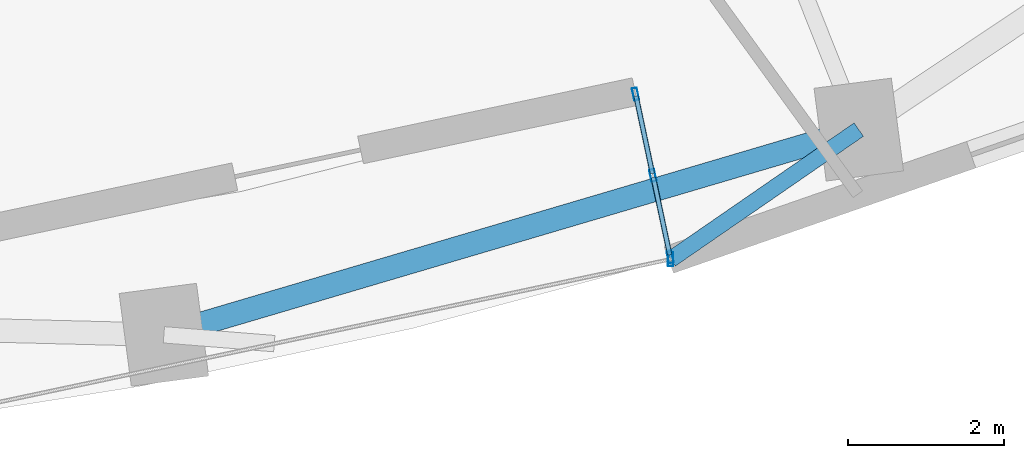
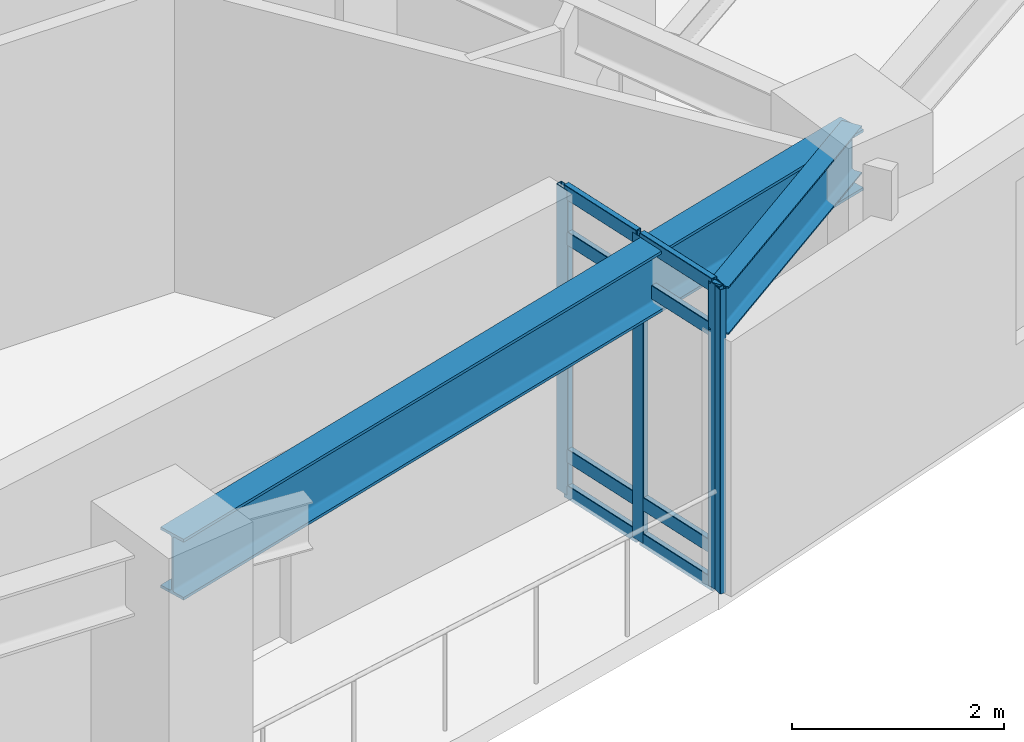
# One storey, part 3 of 12: 12 members, 2 beams, 1 element without a shape of its own.
"""IFC4 building model written with IfcOpenShell, lengths in metres."""

from ifc_helpers import new_model, si_unit, direction, frame, origin, origin_2d, place, context, subcontext, project, spatial, hollow_rectangle, i_section, extrude, material, layer, layer_set, material_profile, profile_set, type_object, element, aggregate, save


model = new_model("IFC4")

# Units and contexts
model_context = context("Model", 3, precision=1e-05, world=origin(), true_north=direction((0.0, 1.0)))
body_context = subcontext(model_context, "Body", "Model", "MODEL_VIEW")
ifc_project = project(units=[si_unit("LENGTHUNIT", "METRE"), si_unit("AREAUNIT", "SQUARE_METRE"), si_unit("VOLUMEUNIT", "CUBIC_METRE"), si_unit("PLANEANGLEUNIT", "RADIAN"), si_unit("MASSUNIT", "GRAM", prefix="KILO")], contexts=[model_context])

# Site, building, storey
site_placement = place(None, origin())
site = spatial("IfcSite", under=ifc_project, at=site_placement, CompositionType="ELEMENT")
building_placement = place(site_placement, origin())
building = spatial("IfcBuilding", under=site, at=building_placement, Name="Ndelora Gate Hotel", CompositionType="ELEMENT")
storey_placement = place(building_placement, frame((0.0, 0.0, 75.5)))
storey = spatial("IfcBuildingStorey", under=building, at=storey_placement, Name="L18", CompositionType="ELEMENT", Elevation=75.5)

# Beams
ifc_material_1 = material(Name="Steel S355", Category="steel")
ifc_material_profile_1 = material_profile(ifc_material_1, i_section(OverallWidth=0.2099609375, OverallDepth=0.550048828125, WebThickness=0.010986328125, FlangeThickness=0.01708984375, FilletRadius=0.02392578125, at=origin_2d()), Name="IPE 550")
ifc_profile_set_1 = profile_set([ifc_material_profile_1], Name="Steel S355")
beam_type_1 = type_object("IfcBeamType", Name="BM-RAD-550", PredefinedType="BEAM", material=ifc_profile_set_1)
beam_1_placement = place(storey_placement, frame((11.179443359375, -14.5693359375, 3.22509765625), z_axis=(-0.823102697332, -0.567892551144, 0.0), x_axis=(0.567892551144, -0.823102697332, 0.0)))
element("IfcBeam", 1, at=beam_1_placement, inside=storey, type_object=beam_type_1, Name="L18 Sky-Garden Loggia Column Bracket 3", PredefinedType="BEAM", context=body_context, shape_type="SweptSolid", body=[
    extrude(i_section(OverallWidth=0.2099609375, OverallDepth=0.550048828125, WebThickness=0.010986328125, FlangeThickness=0.01708984375, FilletRadius=0.02392578125, at=origin_2d()), origin(), (0.0, 0.0, 1.0), 2.93115234375),
])
ifc_material_profile_2 = material_profile(ifc_material_1, i_section(OverallWidth=0.300048828125, OverallDepth=0.699951171875, WebThickness=0.01708984375, FlangeThickness=0.031982421875, FilletRadius=0.027099609375, at=origin_2d()), Name="HEB 700")
ifc_profile_set_2 = profile_set([ifc_material_profile_2], Name="Steel S355")
beam_type_2 = type_object("IfcBeamType", Name="BM-RING-700", PredefinedType="SPANDREL", material=ifc_profile_set_2)
beam_2_placement = place(storey_placement, frame((2.2646484375, -17.20166015625, 3.14990234375), z_axis=(0.959064248316, 0.283188572514, 0.0), x_axis=(-0.283188572514, 0.959064248316, 0.0)))
element("IfcBeam", 2, at=beam_2_placement, inside=storey, type_object=beam_type_2, Name="L18 Perimeter Spandrel Girder 7", PredefinedType="SPANDREL", context=body_context, shape_type="SweptSolid", body=[
    extrude(i_section(OverallWidth=0.300048828125, OverallDepth=0.699951171875, WebThickness=0.01708984375, FlangeThickness=0.031982421875, FilletRadius=0.027099609375, at=origin_2d()), origin(), (0.0, 0.0, 1.0), 9.29541015625),
])

# Curtain wall, members
ifc_material_2 = material(Name="Bronze Anodised Unitised Aluminium and Low-E Glass", Category="aluminium")
ifc_layer = layer(ifc_material_2, 0.199951171875)
ifc_layer_set = layer_set([ifc_layer], Name="Bronze Anodised Unitised Aluminium and Low-E Glass")
curtain_wall_type = type_object("IfcCurtainWallType", Name="CW-SYS-3", PredefinedType="NOTDEFINED", material=ifc_layer_set)
curtain_wall_placement = place(storey_placement, origin())
curtain_wall = element("IfcCurtainWall", 3, at=curtain_wall_placement, inside=storey, type_object=curtain_wall_type, Name="L18 Sky-Garden Loggia Side Curtain Wall CW3-2", PredefinedType="NOTDEFINED")
ifc_material_3 = material(Name="Bronze Anodised Aluminium 6063-T6", Category="aluminium")
ifc_material_profile_3 = material_profile(ifc_material_3, hollow_rectangle(XDim=0.06494140625, YDim=0.159912109375, WallThickness=0.00390625, InnerFilletRadius=0.00390625, OuterFilletRadius=0.008056640625, at=origin_2d()), Name="ALU 160x65x4")
ifc_profile_set_3 = profile_set([ifc_material_profile_3], Name="Bronze Anodised Aluminium 6063-T6")
member_type_1 = type_object("IfcMemberType", Name="MB-CW-MUL150", PredefinedType="MULLION", material=ifc_profile_set_3)
member_1_placement = place(storey_placement, frame((8.760009765625, -16.201904296875, -0.00390625), z_axis=(0.0, 0.0, 1.0), x_axis=(-0.978147643724, -0.207911488567, 0.0)))
member_1 = element("IfcMember", 4, at=member_1_placement, type_object=member_type_1, Name="CW3 mullion 1", PredefinedType="MULLION", context=body_context, shape_type="SweptSolid", body=[
    extrude(hollow_rectangle(XDim=0.06494140625, YDim=0.159912109375, WallThickness=0.00390625, InnerFilletRadius=0.00390625, OuterFilletRadius=0.008056640625, at=origin_2d()), origin(), (0.0, 0.0, 1.0), 3.5078125),
])
member_2_placement = place(storey_placement, frame((8.5380859375, -15.157958984375, -0.00390625), z_axis=(0.0, 0.0, 1.0), x_axis=(-0.978147643724, -0.207911488567, 0.0)))
member_2 = element("IfcMember", 5, at=member_2_placement, type_object=member_type_1, Name="CW3 mullion 2", PredefinedType="MULLION", context=body_context, shape_type="SweptSolid", body=[
    extrude(hollow_rectangle(XDim=0.06494140625, YDim=0.159912109375, WallThickness=0.00390625, InnerFilletRadius=0.00390625, OuterFilletRadius=0.008056640625, at=origin_2d()), origin(), (0.0, 0.0, 1.0), 3.5078125),
])
member_3_placement = place(storey_placement, frame((8.316162109375, -14.11376953125, -0.00390625), z_axis=(0.0, 0.0, 1.0), x_axis=(-0.978147643724, -0.207911488567, 0.0)))
member_3 = element("IfcMember", 6, at=member_3_placement, type_object=member_type_1, Name="CW3 mullion 3", PredefinedType="MULLION", context=body_context, shape_type="SweptSolid", body=[
    extrude(hollow_rectangle(XDim=0.06494140625, YDim=0.159912109375, WallThickness=0.00390625, InnerFilletRadius=0.00390625, OuterFilletRadius=0.008056640625, at=origin_2d()), origin(), (0.0, 0.0, 1.0), 3.5078125),
])
ifc_material_profile_4 = material_profile(ifc_material_3, hollow_rectangle(XDim=0.070068359375, YDim=0.179931640625, WallThickness=0.0048828125, InnerFilletRadius=0.0048828125, OuterFilletRadius=0.010009765625, at=origin_2d()), Name="ALU 180x70x5")
ifc_profile_set_4 = profile_set([ifc_material_profile_4], Name="Bronze Anodised Aluminium 6063-T6")
member_type_2 = type_object("IfcMemberType", Name="MB-CW-MUL180", PredefinedType="MULLION", material=ifc_profile_set_4)
member_4_placement = place(storey_placement, frame((8.766845703125, -16.23388671875, 0.0), z_axis=(0.0, 0.0, 1.0), x_axis=(1.0, 0.0, 0.0)))
member_4 = element("IfcMember", 7, at=member_4_placement, type_object=member_type_2, Name="L18 Sky-Garden Loggia Corner Mullion Post 2", PredefinedType="MULLION", context=body_context, shape_type="SweptSolid", body=[
    extrude(hollow_rectangle(XDim=0.070068359375, YDim=0.179931640625, WallThickness=0.0048828125, InnerFilletRadius=0.0048828125, OuterFilletRadius=0.010009765625, at=origin_2d()), origin(), (0.0, 0.0, 1.0), 3.5),
])
ifc_material_profile_5 = material_profile(ifc_material_3, hollow_rectangle(XDim=0.06494140625, YDim=0.159912109375, WallThickness=0.00390625, InnerFilletRadius=0.00390625, OuterFilletRadius=0.008056640625, at=origin_2d()), Name="ALU 160x65x4")
ifc_profile_set_5 = profile_set([ifc_material_profile_5], Name="Bronze Anodised Aluminium 6063-T6")
member_type_3 = type_object("IfcMemberType", Name="MB-CW-TRN150", PredefinedType="USERDEFINED", material=ifc_profile_set_5)
member_5_placement = place(storey_placement, frame((8.754638671875, -16.176025390625, 0.032470703125), z_axis=(-0.207950868925, 0.97813927235, 0.0), x_axis=(-0.97813927235, -0.207950868925, 0.0)))
member_5 = element("IfcMember", 8, at=member_5_placement, type_object=member_type_3, Name="CW3 transom 1.1", ObjectType="TRANSOM", PredefinedType="USERDEFINED", context=body_context, shape_type="SweptSolid", body=[
    extrude(hollow_rectangle(XDim=0.06494140625, YDim=0.159912109375, WallThickness=0.00390625, InnerFilletRadius=0.00390625, OuterFilletRadius=0.008056640625, at=origin_2d()), origin(), (0.0, 0.0, 1.0), 1.014404296875),
])
member_6_placement = place(storey_placement, frame((8.754638671875, -16.176025390625, 0.449951171875), z_axis=(-0.207950868925, 0.97813927235, 0.0), x_axis=(-0.97813927235, -0.207950868925, 0.0)))
member_6 = element("IfcMember", 9, at=member_6_placement, type_object=member_type_3, Name="CW3 transom 1.2", ObjectType="TRANSOM", PredefinedType="USERDEFINED", context=body_context, shape_type="SweptSolid", body=[
    extrude(hollow_rectangle(XDim=0.06494140625, YDim=0.159912109375, WallThickness=0.00390625, InnerFilletRadius=0.00390625, OuterFilletRadius=0.008056640625, at=origin_2d()), origin(), (0.0, 0.0, 1.0), 1.014404296875),
])
member_7_placement = place(storey_placement, frame((8.754638671875, -16.176025390625, 2.949951171875), z_axis=(-0.207950868925, 0.97813927235, 0.0), x_axis=(-0.97813927235, -0.207950868925, 0.0)))
member_7 = element("IfcMember", 10, at=member_7_placement, type_object=member_type_3, Name="CW3 transom 1.3", ObjectType="TRANSOM", PredefinedType="USERDEFINED", context=body_context, shape_type="SweptSolid", body=[
    extrude(hollow_rectangle(XDim=0.06494140625, YDim=0.159912109375, WallThickness=0.00390625, InnerFilletRadius=0.00390625, OuterFilletRadius=0.008056640625, at=origin_2d()), origin(), (0.0, 0.0, 1.0), 1.014404296875),
])
member_8_placement = place(storey_placement, frame((8.754638671875, -16.176025390625, 3.467529296875), z_axis=(-0.207950868925, 0.97813927235, 0.0), x_axis=(-0.97813927235, -0.207950868925, 0.0)))
member_8 = element("IfcMember", 11, at=member_8_placement, type_object=member_type_3, Name="CW3 transom 1.4", ObjectType="TRANSOM", PredefinedType="USERDEFINED", context=body_context, shape_type="SweptSolid", body=[
    extrude(hollow_rectangle(XDim=0.06494140625, YDim=0.159912109375, WallThickness=0.00390625, InnerFilletRadius=0.00390625, OuterFilletRadius=0.008056640625, at=origin_2d()), origin(), (0.0, 0.0, 1.0), 1.014404296875),
])
member_9_placement = place(storey_placement, frame((8.532470703125, -15.1318359375, 0.032470703125), z_axis=(-0.207720575794, 0.978188203973, 0.0), x_axis=(-0.978188203973, -0.207720575794, 0.0)))
member_9 = element("IfcMember", 12, at=member_9_placement, type_object=member_type_3, Name="CW3 transom 2.1", ObjectType="TRANSOM", PredefinedType="USERDEFINED", context=body_context, shape_type="SweptSolid", body=[
    extrude(hollow_rectangle(XDim=0.06494140625, YDim=0.159912109375, WallThickness=0.00390625, InnerFilletRadius=0.00390625, OuterFilletRadius=0.008056640625, at=origin_2d()), origin(), (0.0, 0.0, 1.0), 1.014404296875),
])
member_10_placement = place(storey_placement, frame((8.532470703125, -15.1318359375, 0.449951171875), z_axis=(-0.207720575794, 0.978188203973, 0.0), x_axis=(-0.978188203973, -0.207720575794, 0.0)))
member_10 = element("IfcMember", 13, at=member_10_placement, type_object=member_type_3, Name="CW3 transom 2.2", ObjectType="TRANSOM", PredefinedType="USERDEFINED", context=body_context, shape_type="SweptSolid", body=[
    extrude(hollow_rectangle(XDim=0.06494140625, YDim=0.159912109375, WallThickness=0.00390625, InnerFilletRadius=0.00390625, OuterFilletRadius=0.008056640625, at=origin_2d()), origin(), (0.0, 0.0, 1.0), 1.014404296875),
])
member_11_placement = place(storey_placement, frame((8.532470703125, -15.1318359375, 2.949951171875), z_axis=(-0.207720575794, 0.978188203973, 0.0), x_axis=(-0.978188203973, -0.207720575794, 0.0)))
member_11 = element("IfcMember", 14, at=member_11_placement, type_object=member_type_3, Name="CW3 transom 2.3", ObjectType="TRANSOM", PredefinedType="USERDEFINED", context=body_context, shape_type="SweptSolid", body=[
    extrude(hollow_rectangle(XDim=0.06494140625, YDim=0.159912109375, WallThickness=0.00390625, InnerFilletRadius=0.00390625, OuterFilletRadius=0.008056640625, at=origin_2d()), origin(), (0.0, 0.0, 1.0), 1.014404296875),
])
member_12_placement = place(storey_placement, frame((8.532470703125, -15.1318359375, 3.467529296875), z_axis=(-0.207720575794, 0.978188203973, 0.0), x_axis=(-0.978188203973, -0.207720575794, 0.0)))
member_12 = element("IfcMember", 15, at=member_12_placement, type_object=member_type_3, Name="CW3 transom 2.4", ObjectType="TRANSOM", PredefinedType="USERDEFINED", context=body_context, shape_type="SweptSolid", body=[
    extrude(hollow_rectangle(XDim=0.06494140625, YDim=0.159912109375, WallThickness=0.00390625, InnerFilletRadius=0.00390625, OuterFilletRadius=0.008056640625, at=origin_2d()), origin(), (0.0, 0.0, 1.0), 1.014404296875),
])
aggregate(curtain_wall, [member_1, member_2, member_3, member_5, member_6, member_7, member_8, member_9, member_10, member_11, member_12, member_4])

save(model, "model.ifc")
